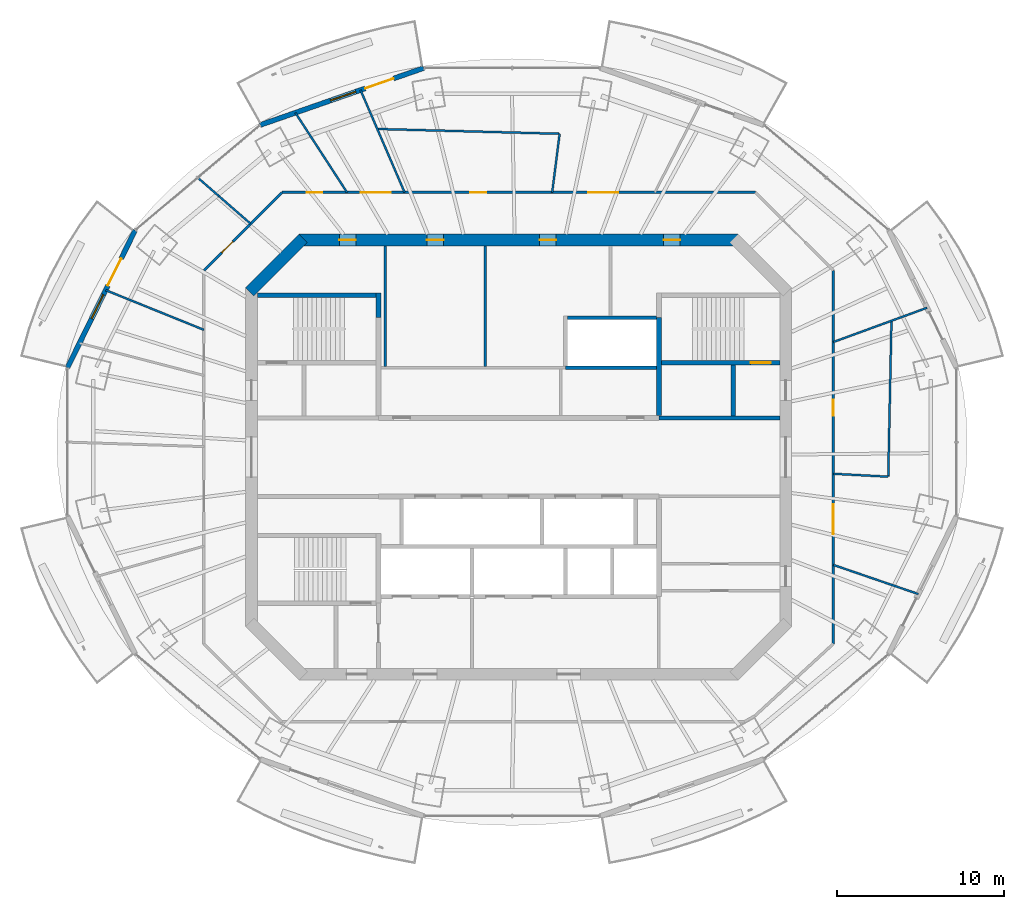
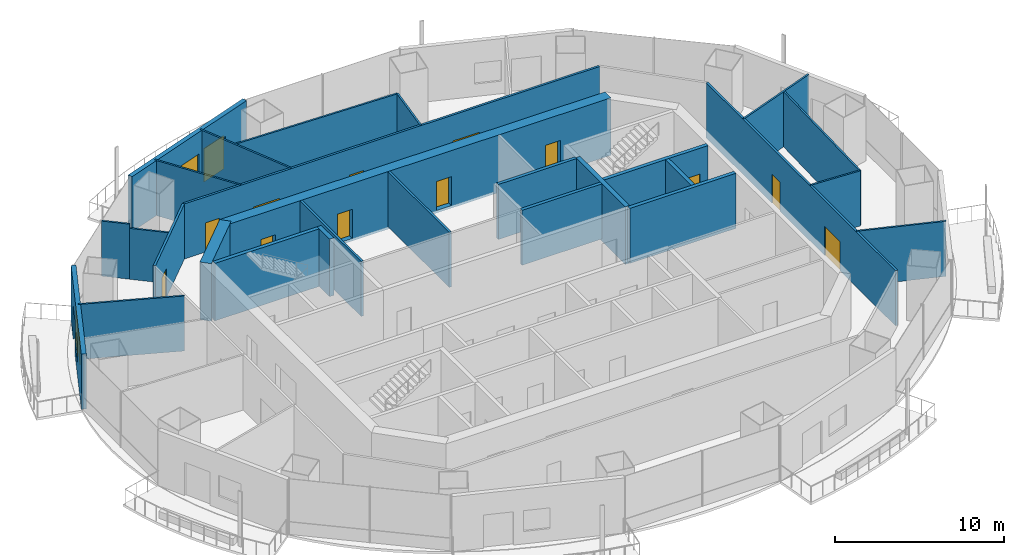
# One storey, part 10 of 16: 28 walls, 14 doors, 2 windows, 16 openings.
"""IFC4 building model written with IfcOpenShell, lengths in metres."""

from ifc_helpers import new_model, si_unit, direction, frame, frame_2d, origin, place, context, subcontext, project, spatial, rectangle, extrude, material, layer, layer_set, type_object, element, fill, save


model = new_model("IFC4")

# Units and contexts
model_context = context("Model", 3, precision=1e-05, world=origin(), true_north=direction((0.0, 1.0)))
body_context = subcontext(model_context, "Body", "Model", "MODEL_VIEW")
ifc_project = project(units=[si_unit("LENGTHUNIT", "METRE"), si_unit("AREAUNIT", "SQUARE_METRE"), si_unit("VOLUMEUNIT", "CUBIC_METRE"), si_unit("PLANEANGLEUNIT", "RADIAN"), si_unit("MASSUNIT", "GRAM", prefix="KILO")], contexts=[model_context])

# Site, building, storey
site_placement = place(None, origin())
site = spatial("IfcSite", under=ifc_project, at=site_placement, CompositionType="ELEMENT")
building_placement = place(site_placement, origin())
building = spatial("IfcBuilding", under=site, at=building_placement, Name="Marenthal Gate Tower", CompositionType="ELEMENT")
storey_placement = place(building_placement, frame((0.0, 0.0, 334.300048828125)))
storey = spatial("IfcBuildingStorey", under=building, at=storey_placement, Name="L75", CompositionType="ELEMENT", Elevation=334.300048828125)

# Wall, openings, doors
ifc_material_1 = material(Name="Concrete 60 MPa", Category="concrete")
ifc_layer_1 = layer(ifc_material_1, 0.699951171875)
ifc_layer_set_1 = layer_set([ifc_layer_1], Name="Core shear wall 700")
wall_type_1 = type_object("IfcWallType", Name="Core shear wall 700", PredefinedType="SHEAR", material=ifc_layer_set_1)
wall_1_placement = place(storey_placement, frame((13.14501953125, 13.0, -0.179931640625), z_axis=(0.0, 0.0, 1.0), x_axis=(-1.0, 0.0, 0.0)))
wall_1 = element("IfcWall", 1, at=wall_1_placement, inside=storey, type_object=wall_type_1, Name="Core wall 04", PredefinedType="SHEAR", context=body_context, shape_type="SweptSolid", body=[
    extrude(rectangle(XDim=26.2900390625, YDim=0.699951171875, at=frame_2d((13.14501953125, 0.0))), origin(), (0.0, 0.0, 1.0), 4.14990234375),
])
opening_1_placement = place(wall_1_placement, frame((22.889892578125, 0.0, 0.179931640625)))
opening_1 = element("IfcOpeningElement", 2, at=opening_1_placement, cuts=wall_1, Name="Opening D005.03", PredefinedType="OPENING", context=body_context, shape_type="SweptSolid", body=[
    extrude(rectangle(XDim=1.0, YDim=2.10009765625, at=frame_2d((0.5, 1.050048828125))), frame((0.0, 0.35986328125, 0.0), z_axis=(0.0, -1.0, 0.0), x_axis=(1.0, 0.0, 0.0)), (0.0, 0.0, 1.0), 0.719970703125),
])
opening_2_placement = place(wall_1_placement, frame((17.64501953125, 0.0, 0.179931640625)))
opening_2 = element("IfcOpeningElement", 3, at=opening_2_placement, cuts=wall_1, Name="Opening D005.04", PredefinedType="OPENING", context=body_context, shape_type="SweptSolid", body=[
    extrude(rectangle(XDim=1.0, YDim=2.10009765625, at=frame_2d((0.5, 1.050048828125))), frame((0.0, 0.35986328125, 0.0), z_axis=(0.0, -1.0, 0.0), x_axis=(1.0, 0.0, 0.0)), (0.0, 0.0, 1.0), 0.719970703125),
])
opening_3_placement = place(wall_1_placement, frame((10.89501953125, 0.0, 0.179931640625)))
opening_3 = element("IfcOpeningElement", 4, at=opening_3_placement, cuts=wall_1, Name="Opening D005.05", PredefinedType="OPENING", context=body_context, shape_type="SweptSolid", body=[
    extrude(rectangle(XDim=1.0, YDim=2.10009765625, at=frame_2d((0.5, 1.050048828125))), frame((0.0, 0.35986328125, 0.0), z_axis=(0.0, -1.0, 0.0), x_axis=(1.0, 0.0, 0.0)), (0.0, 0.0, 1.0), 0.719970703125),
])
opening_4_placement = place(wall_1_placement, frame((3.46728515625, 0.0, 0.179931640625)))
opening_4 = element("IfcOpeningElement", 5, at=opening_4_placement, cuts=wall_1, Name="Opening D005.06", PredefinedType="OPENING", context=body_context, shape_type="SweptSolid", body=[
    extrude(rectangle(XDim=1.0, YDim=2.10009765625, at=frame_2d((0.5, 1.050048828125))), frame((0.0, 0.35986328125, 0.0), z_axis=(0.0, -1.0, 0.0), x_axis=(1.0, 0.0, 0.0)), (0.0, 0.0, 1.0), 0.719970703125),
])
ifc_material_2 = material(Name="Steel fire door", Category="steel")
door_type_1 = type_object("IfcDoorType", Name="Fire door FD 45 1000 x 2100", OperationType="NOTDEFINED", PredefinedType="DOOR", material=ifc_material_2)
door_1_placement = place(opening_1_placement, origin())
door_1 = element("IfcDoor", 6, at=door_1_placement, inside=storey, type_object=door_type_1, Name="Door D005.03", OperationType="SINGLE_SWING_RIGHT", OverallHeight=2.10009765625, OverallWidth=1.0, PredefinedType="DOOR", context=body_context, shape_type="SweptSolid", body=[
    extrude(rectangle(XDim=1.0, YDim=2.10009765625, at=frame_2d((0.5, 1.050048828125))), frame((0.0, 0.02490234375, 0.0), z_axis=(0.0, -1.0, 0.0), x_axis=(1.0, 0.0, 0.0)), (0.0, 0.0, 1.0), 0.050048828125),
])
fill(opening_1, door_1)
door_2_placement = place(opening_2_placement, origin())
door_2 = element("IfcDoor", 7, at=door_2_placement, inside=storey, type_object=door_type_1, Name="Door D005.04", OperationType="SINGLE_SWING_RIGHT", OverallHeight=2.10009765625, OverallWidth=1.0, PredefinedType="DOOR", context=body_context, shape_type="SweptSolid", body=[
    extrude(rectangle(XDim=1.0, YDim=2.10009765625, at=frame_2d((0.5, 1.050048828125))), frame((0.0, 0.02490234375, 0.0), z_axis=(0.0, -1.0, 0.0), x_axis=(1.0, 0.0, 0.0)), (0.0, 0.0, 1.0), 0.050048828125),
])
fill(opening_2, door_2)
door_3_placement = place(opening_3_placement, origin())
door_3 = element("IfcDoor", 8, at=door_3_placement, inside=storey, type_object=door_type_1, Name="Door D005.05", OperationType="SINGLE_SWING_RIGHT", OverallHeight=2.10009765625, OverallWidth=1.0, PredefinedType="DOOR", context=body_context, shape_type="SweptSolid", body=[
    extrude(rectangle(XDim=1.0, YDim=2.10009765625, at=frame_2d((0.5, 1.050048828125))), frame((0.0, 0.02490234375, 0.0), z_axis=(0.0, -1.0, 0.0), x_axis=(1.0, 0.0, 0.0)), (0.0, 0.0, 1.0), 0.050048828125),
])
fill(opening_3, door_3)
door_4_placement = place(opening_4_placement, origin())
door_4 = element("IfcDoor", 9, at=door_4_placement, inside=storey, type_object=door_type_1, Name="Door D005.06", OperationType="SINGLE_SWING_RIGHT", OverallHeight=2.10009765625, OverallWidth=1.0, PredefinedType="DOOR", context=body_context, shape_type="SweptSolid", body=[
    extrude(rectangle(XDim=1.0, YDim=2.10009765625, at=frame_2d((0.5, 1.050048828125))), frame((0.0, 0.02490234375, 0.0), z_axis=(0.0, -1.0, 0.0), x_axis=(1.0, 0.0, 0.0)), (0.0, 0.0, 1.0), 0.050048828125),
])
fill(opening_4, door_4)

# Walls
wall_2_placement = place(storey_placement, frame((-12.8974609375, 13.1025390625, -0.179931640625), z_axis=(0.0, 0.0, 1.0), x_axis=(-0.707106781187, -0.707106781187, 0.0)))
element("IfcWall", 10, at=wall_2_placement, inside=storey, type_object=wall_type_1, Name="Core wall 05", PredefinedType="SHEAR", context=body_context, shape_type="SweptSolid", body=[
    extrude(rectangle(XDim=4.53271484375, YDim=0.699951171875, at=frame_2d((2.266357421875, 0.0))), origin(), (0.0, 0.0, 1.0), 4.14990234375),
])
ifc_material_3 = material(Name="Concrete 50 MPa", Category="concrete")
ifc_layer_2 = layer(ifc_material_3, 0.300048828125)
ifc_layer_set_2 = layer_set([ifc_layer_2], Name="Hoistway shear wall 300")
wall_type_2 = type_object("IfcWallType", Name="Hoistway shear wall 300", PredefinedType="SHEAR", material=ifc_layer_set_2)
wall_3_placement = place(storey_placement, frame((8.39990234375, 2.5, -0.179931640625), z_axis=(0.0, 0.0, 1.0), x_axis=(0.0, 1.0, 0.0)))
element("IfcWall", 11, at=wall_3_placement, inside=storey, type_object=wall_type_2, Name="Hoistway wall 49", PredefinedType="SHEAR", context=body_context, shape_type="SweptSolid", body=[
    extrude(rectangle(XDim=5.85009765625, YDim=0.300048828125, at=frame_2d((2.925048828125, 0.0))), origin(), (0.0, 0.0, 1.0), 4.14990234375),
])
ifc_material_4 = material(Name="Concrete 40 MPa", Category="concrete")
ifc_layer_3 = layer(ifc_material_4, 0.219970703125)
ifc_layer_set_3 = layer_set([ifc_layer_3], Name="Hoistway wall 220")
wall_type_3 = type_object("IfcWallType", Name="Hoistway wall 220", PredefinedType="STANDARD", material=ifc_layer_set_3)
wall_4_placement = place(storey_placement, frame((2.800048828125, 5.35009765625, 0.0), z_axis=(0.0, 0.0, 1.0), x_axis=(1.0, 0.0, 0.0)))
element("IfcWall", 12, at=wall_4_placement, inside=storey, type_object=wall_type_3, Name="Hoistway wall 23", PredefinedType="STANDARD", context=body_context, shape_type="SweptSolid", body=[
    extrude(rectangle(XDim=5.449951171875, YDim=0.219970703125, at=frame_2d((2.72509765625, 0.0))), origin(), (0.0, 0.0, 1.0), 3.969970703125),
])
wall_5_placement = place(storey_placement, frame((2.909912109375, 8.35009765625, 0.0), z_axis=(0.0, 0.0, 1.0), x_axis=(1.0, 0.0, 0.0)))
element("IfcWall", 13, at=wall_5_placement, inside=storey, type_object=wall_type_3, Name="Hoistway wall 26", PredefinedType="STANDARD", context=body_context, shape_type="SweptSolid", body=[
    extrude(rectangle(XDim=5.340087890625, YDim=0.219970703125, at=frame_2d((2.669921875, 0.0))), origin(), (0.0, 0.0, 1.0), 3.969970703125),
])
ifc_material_5 = material(Name="Gypsum board on steel studs", Category="steel")
ifc_layer_4 = layer(ifc_material_5, 0.1201171875)
ifc_layer_set_4 = layer_set([ifc_layer_4], Name="Partition 120")
wall_type_4 = type_object("IfcWallType", Name="Partition 120", PredefinedType="PARTITIONING", material=ifc_layer_set_4)
wall_6_placement = place(storey_placement, frame((-18.85009765625, 7.620361328125, 0.0), z_axis=(0.0, 0.0, 1.0), x_axis=(-0.927102963465, 0.374806743716, 0.0)))
element("IfcWall", 14, at=wall_6_placement, inside=storey, type_object=wall_type_4, Name="Partition wall 56", PredefinedType="PARTITIONING", context=body_context, shape_type="SweptSolid", body=[
    extrude(rectangle(XDim=6.353515625, YDim=0.1201171875, at=frame_2d((3.1767578125, 0.0))), origin(), (0.0, 0.0, 1.0), 3.969970703125),
])
wall_7_placement = place(storey_placement, frame((-16.053466796875, 13.97705078125, 0.0), z_axis=(0.0, 0.0, 1.0), x_axis=(-0.754199093047, 0.656645816287, 0.0)))
element("IfcWall", 15, at=wall_7_placement, inside=storey, type_object=wall_type_4, Name="Partition wall 58", PredefinedType="PARTITIONING", context=body_context, shape_type="SweptSolid", body=[
    extrude(rectangle(XDim=2.522705078125, YDim=0.1201171875, at=frame_2d((1.26123046875, 0.0))), origin(), (0.0, 0.0, 1.0), 3.66796875),
])
wall_8_placement = place(storey_placement, frame((-17.9560546875, 15.633544921875, 0.0), z_axis=(0.0, 0.0, 1.0), x_axis=(-0.754187929284, 0.656658638352, 0.0)))
element("IfcWall", 16, at=wall_8_placement, inside=storey, type_object=wall_type_4, Name="Partition wall 75", PredefinedType="PARTITIONING", context=body_context, shape_type="SweptSolid", body=[
    extrude(rectangle(XDim=1.687255859375, YDim=0.1201171875, at=frame_2d((0.84375, 0.0))), origin(), (0.0, 0.0, 1.0), 3.969970703125),
])
wall_9_placement = place(storey_placement, frame((-10.27783203125, 15.85009765625, 0.0), z_axis=(0.0, 0.0, 1.0), x_axis=(-0.544086684893, 0.839029009822, 0.0)))
element("IfcWall", 17, at=wall_9_placement, inside=storey, type_object=wall_type_4, Name="Partition wall 61", PredefinedType="PARTITIONING", context=body_context, shape_type="SweptSolid", body=[
    extrude(rectangle(XDim=5.693359375, YDim=0.1201171875, at=frame_2d((2.8466796875, 0.0))), origin(), (0.0, 0.0, 1.0), 3.969970703125),
])
wall_10_placement = place(storey_placement, frame((-6.82958984375, 15.85009765625, 0.0), z_axis=(0.0, 0.0, 1.0), x_axis=(-0.39569122033, 0.918383611654, 0.0)))
element("IfcWall", 18, at=wall_10_placement, inside=storey, type_object=wall_type_4, Name="Partition wall 62", PredefinedType="PARTITIONING", context=body_context, shape_type="SweptSolid", body=[
    extrude(rectangle(XDim=6.68212890625, YDim=0.1201171875, at=frame_2d((3.341064453125, 0.0))), origin(), (0.0, 0.0, 1.0), 3.969970703125),
])
wall_11_placement = place(storey_placement, frame((2.45263671875, 19.367431640625, 0.0), z_axis=(0.0, 0.0, 1.0), x_axis=(-0.999654058519, 0.026301393246, 0.0)))
element("IfcWall", 19, at=wall_11_placement, inside=storey, type_object=wall_type_4, Name="Partition wall 63", PredefinedType="PARTITIONING", context=body_context, shape_type="SweptSolid", body=[
    extrude(rectangle(XDim=10.92529296875, YDim=0.1201171875, at=frame_2d((5.462646484375, 0.0))), origin(), (0.0, 0.0, 1.0), 3.969970703125),
])
wall_12_placement = place(storey_placement, frame((2.45263671875, 19.367431640625, 0.0), z_axis=(0.0, 0.0, 1.0), x_axis=(-0.125670265883, -0.992072066068, 0.0)))
element("IfcWall", 20, at=wall_12_placement, inside=storey, type_object=wall_type_4, Name="Partition wall 64", PredefinedType="PARTITIONING", context=body_context, shape_type="SweptSolid", body=[
    extrude(rectangle(XDim=3.54541015625, YDim=0.1201171875, at=frame_2d((1.772705078125, 0.0))), origin(), (0.0, 0.0, 1.0), 3.969970703125),
])
wall_13_placement = place(storey_placement, frame((18.85009765625, -6.457763671875, 0.0), z_axis=(0.0, 0.0, 1.0), x_axis=(0.946023473626, -0.32409811377, 0.0)))
element("IfcWall", 21, at=wall_13_placement, inside=storey, type_object=wall_type_4, Name="Partition wall 70", PredefinedType="PARTITIONING", context=body_context, shape_type="SweptSolid", body=[
    extrude(rectangle(XDim=5.380859375, YDim=0.1201171875, at=frame_2d((2.6904296875, 0.0))), origin(), (0.0, 0.0, 1.0), 3.969970703125),
])
wall_14_placement = place(storey_placement, frame((18.85009765625, 6.893310546875, 0.0), z_axis=(0.0, 0.0, 1.0), x_axis=(0.939166586635, 0.34346196667, 0.0)))
element("IfcWall", 22, at=wall_14_placement, inside=storey, type_object=wall_type_4, Name="Partition wall 71", PredefinedType="PARTITIONING", context=body_context, shape_type="SweptSolid", body=[
    extrude(rectangle(XDim=5.973876953125, YDim=0.1201171875, at=frame_2d((2.98681640625, 0.0))), origin(), (0.0, 0.0, 1.0), 3.969970703125),
])
wall_15_placement = place(storey_placement, frame((22.13671875, -1.1728515625, 0.0), z_axis=(0.0, 0.0, 1.0), x_axis=(0.020545219347, 0.999788924705, 0.0)))
element("IfcWall", 23, at=wall_15_placement, inside=storey, type_object=wall_type_4, Name="Partition wall 73", PredefinedType="PARTITIONING", context=body_context, shape_type="SweptSolid", body=[
    extrude(rectangle(XDim=9.340087890625, YDim=0.1201171875, at=frame_2d((4.669921875, 0.0))), origin(), (0.0, 0.0, 1.0), 3.969970703125),
])
wall_16_placement = place(storey_placement, frame((22.13671875, -1.1728515625, 0.0), z_axis=(0.0, 0.0, 1.0), x_axis=(-0.99860035673, 0.052889767817, 0.0)))
element("IfcWall", 24, at=wall_16_placement, inside=storey, type_object=wall_type_4, Name="Partition wall 74", PredefinedType="PARTITIONING", context=body_context, shape_type="SweptSolid", body=[
    extrude(rectangle(XDim=3.291259765625, YDim=0.1201171875, at=frame_2d((1.6455078125, 0.0))), origin(), (0.0, 0.0, 1.0), 3.969970703125),
])
ifc_material_6 = material(Name="Gypsum board on steel studs", Category="steel")
ifc_layer_5 = layer(ifc_material_6, 0.14990234375)
ifc_layer_set_5 = layer_set([ifc_layer_5], Name="Partition 150")
wall_type_5 = type_object("IfcWallType", Name="Partition 150", PredefinedType="PARTITIONING", material=ifc_layer_set_5)
for number, where, z_axis, x_axis, name in (
    (25, (-8.0, 5.425048828125, 0.0), (0.0, 0.0, 1.0), (0.0, 1.0, 0.0), "Partition wall 35"),
    (26, (-2.0, 5.425048828125, 0.0), (0.0, 0.0, 1.0), (0.0, 1.0, 0.0), "Partition wall 39"),
):
    element("IfcWall", number, at=place(storey_placement, frame(where, z_axis=z_axis, x_axis=x_axis)), inside=storey, type_object=wall_type_5, Name=name, PredefinedType="PARTITIONING", context=body_context, shape_type="SweptSolid", body=[
        extrude(rectangle(XDim=7.224853515625, YDim=0.14990234375, at=frame_2d((3.6123046875, 0.0))), origin(), (0.0, 0.0, 1.0), 3.969970703125),
    ])

# Wall, opening, door
wall_17_placement = place(storey_placement, frame((-18.85009765625, 11.180419921875, 0.0), z_axis=(0.0, 0.0, 1.0), x_axis=(0.707106781187, 0.707106781187, 0.0)))
wall_17 = element("IfcWall", 27, at=wall_17_placement, inside=storey, type_object=wall_type_5, Name="Partition wall 57", PredefinedType="PARTITIONING", context=body_context, shape_type="SweptSolid", body=[
    extrude(rectangle(XDim=6.60400390625, YDim=0.14990234375, at=frame_2d((3.302001953125, 0.0))), origin(), (0.0, 0.0, 1.0), 3.969970703125),
])
opening_5_placement = place(wall_17_placement, frame((1.5029296875, 0.0, 0.0)))
opening_5 = element("IfcOpeningElement", 28, at=opening_5_placement, cuts=wall_17, Name="Opening D016.03", PredefinedType="OPENING", context=body_context, shape_type="SweptSolid", body=[
    extrude(rectangle(XDim=0.949951171875, YDim=2.10009765625, at=frame_2d((0.47509765625, 1.050048828125))), frame((0.0, 0.0849609375, 0.0), z_axis=(0.0, -1.0, 0.0), x_axis=(1.0, 0.0, 0.0)), (0.0, 0.0, 1.0), 0.169921875),
])
ifc_material_7 = material(Name="Timber door", Category="wood")
door_type_2 = type_object("IfcDoorType", Name="Door 950 x 2100", OperationType="NOTDEFINED", PredefinedType="DOOR", material=ifc_material_7)
door_5_placement = place(opening_5_placement, origin())
door_5 = element("IfcDoor", 29, at=door_5_placement, inside=storey, type_object=door_type_2, Name="Door D016.03", OperationType="SINGLE_SWING_RIGHT", OverallHeight=2.10009765625, OverallWidth=0.949951171875, PredefinedType="DOOR", context=body_context, shape_type="SweptSolid", body=[
    extrude(rectangle(XDim=0.949951171875, YDim=2.10009765625, at=frame_2d((0.47509765625, 1.050048828125))), frame((0.0, 0.02490234375, 0.0), z_axis=(0.0, -1.0, 0.0), x_axis=(1.0, 0.0, 0.0)), (0.0, 0.0, 1.0), 0.050048828125),
])
fill(opening_5, door_5)

# Wall, openings, doors
wall_18_placement = place(storey_placement, frame((-14.180419921875, 15.85009765625, 0.0), z_axis=(0.0, 0.0, 1.0), x_axis=(1.0, 0.0, 0.0)))
wall_18 = element("IfcWall", 30, at=wall_18_placement, inside=storey, type_object=wall_type_5, Name="Partition wall 60", PredefinedType="PARTITIONING", context=body_context, shape_type="SweptSolid", body=[
    extrude(rectangle(XDim=28.36083984375, YDim=0.14990234375, at=frame_2d((14.180419921875, 0.0))), origin(), (0.0, 0.0, 1.0), 3.969970703125),
])
opening_6_placement = place(wall_18_placement, frame((11.2939453125, 0.0, 0.0)))
opening_6 = element("IfcOpeningElement", 31, at=opening_6_placement, cuts=wall_18, Name="Opening D016.01", PredefinedType="OPENING", context=body_context, shape_type="SweptSolid", body=[
    extrude(rectangle(XDim=0.949951171875, YDim=2.10009765625, at=frame_2d((0.47509765625, 1.050048828125))), frame((0.0, 0.0849609375, 0.0), z_axis=(0.0, -1.0, 0.0), x_axis=(1.0, 0.0, 0.0)), (0.0, 0.0, 1.0), 0.169921875),
])
opening_7_placement = place(wall_18_placement, frame((18.35888671875, 0.0, 0.0)))
opening_7 = element("IfcOpeningElement", 32, at=opening_7_placement, cuts=wall_18, Name="Opening D014.02", PredefinedType="OPENING", context=body_context, shape_type="SweptSolid", body=[
    extrude(rectangle(XDim=1.800048828125, YDim=2.10009765625, at=frame_2d((0.89990234375, 1.050048828125))), frame((0.0, 0.0849609375, 0.0), z_axis=(0.0, -1.0, 0.0), x_axis=(1.0, 0.0, 0.0)), (0.0, 0.0, 1.0), 0.169921875),
])
opening_8_placement = place(wall_18_placement, frame((4.72705078125, 0.0, 0.0)))
opening_8 = element("IfcOpeningElement", 33, at=opening_8_placement, cuts=wall_18, Name="Opening D014.03", PredefinedType="OPENING", context=body_context, shape_type="SweptSolid", body=[
    extrude(rectangle(XDim=1.800048828125, YDim=2.10009765625, at=frame_2d((0.89990234375, 1.050048828125))), frame((0.0, 0.0849609375, 0.0), z_axis=(0.0, -1.0, 0.0), x_axis=(1.0, 0.0, 0.0)), (0.0, 0.0, 1.0), 0.169921875),
])
opening_9_placement = place(wall_18_placement, frame((1.47607421875, 0.0, 0.0)))
opening_9 = element("IfcOpeningElement", 34, at=opening_9_placement, cuts=wall_18, Name="Opening D016.02", PredefinedType="OPENING", context=body_context, shape_type="SweptSolid", body=[
    extrude(rectangle(XDim=0.949951171875, YDim=2.10009765625, at=frame_2d((0.47509765625, 1.050048828125))), frame((0.0, 0.0849609375, 0.0), z_axis=(0.0, -1.0, 0.0), x_axis=(1.0, 0.0, 0.0)), (0.0, 0.0, 1.0), 0.169921875),
])
door_6_placement = place(opening_6_placement, origin())
door_6 = element("IfcDoor", 35, at=door_6_placement, inside=storey, type_object=door_type_2, Name="Door D016.01", OperationType="SINGLE_SWING_RIGHT", OverallHeight=2.10009765625, OverallWidth=0.949951171875, PredefinedType="DOOR", context=body_context, shape_type="SweptSolid", body=[
    extrude(rectangle(XDim=0.949951171875, YDim=2.10009765625, at=frame_2d((0.47509765625, 1.050048828125))), frame((0.0, 0.02490234375, 0.0), z_axis=(0.0, -1.0, 0.0), x_axis=(1.0, 0.0, 0.0)), (0.0, 0.0, 1.0), 0.050048828125),
])
fill(opening_6, door_6)
door_7_placement = place(opening_9_placement, origin())
door_7 = element("IfcDoor", 36, at=door_7_placement, inside=storey, type_object=door_type_2, Name="Door D016.02", OperationType="SINGLE_SWING_RIGHT", OverallHeight=2.10009765625, OverallWidth=0.949951171875, PredefinedType="DOOR", context=body_context, shape_type="SweptSolid", body=[
    extrude(rectangle(XDim=0.949951171875, YDim=2.10009765625, at=frame_2d((0.47509765625, 1.050048828125))), frame((0.0, 0.02490234375, 0.0), z_axis=(0.0, -1.0, 0.0), x_axis=(1.0, 0.0, 0.0)), (0.0, 0.0, 1.0), 0.050048828125),
])
fill(opening_9, door_7)
ifc_material_8 = material(Name="Timber door", Category="wood")
door_type_3 = type_object("IfcDoorType", Name="Double door 1800 x 2100", OperationType="DOUBLE_DOOR_SINGLE_SWING", PredefinedType="DOOR", material=ifc_material_8)
door_8_placement = place(opening_7_placement, origin())
door_8 = element("IfcDoor", 37, at=door_8_placement, inside=storey, type_object=door_type_3, Name="Door D014.02", OperationType="DOUBLE_DOOR_SINGLE_SWING", OverallHeight=2.10009765625, OverallWidth=1.800048828125, PredefinedType="DOOR", context=body_context, shape_type="SweptSolid", body=[
    extrude(rectangle(XDim=1.800048828125, YDim=2.10009765625, at=frame_2d((0.89990234375, 1.050048828125))), frame((0.0, 0.02490234375, 0.0), z_axis=(0.0, -1.0, 0.0), x_axis=(1.0, 0.0, 0.0)), (0.0, 0.0, 1.0), 0.050048828125),
])
fill(opening_7, door_8)
door_9_placement = place(opening_8_placement, origin())
door_9 = element("IfcDoor", 38, at=door_9_placement, inside=storey, type_object=door_type_3, Name="Door D014.03", OperationType="DOUBLE_DOOR_SINGLE_SWING", OverallHeight=2.10009765625, OverallWidth=1.800048828125, PredefinedType="DOOR", context=body_context, shape_type="SweptSolid", body=[
    extrude(rectangle(XDim=1.800048828125, YDim=2.10009765625, at=frame_2d((0.89990234375, 1.050048828125))), frame((0.0, 0.02490234375, 0.0), z_axis=(0.0, -1.0, 0.0), x_axis=(1.0, 0.0, 0.0)), (0.0, 0.0, 1.0), 0.050048828125),
])
fill(opening_8, door_9)

wall_19_placement = place(storey_placement, frame((18.85009765625, 11.180419921875, 0.0), z_axis=(0.0, 0.0, 1.0), x_axis=(0.0, -1.0, 0.0)))
wall_19 = element("IfcWall", 39, at=wall_19_placement, inside=storey, type_object=wall_type_5, Name="Partition wall 72", PredefinedType="PARTITIONING", context=body_context, shape_type="SweptSolid", body=[
    extrude(rectangle(XDim=22.36083984375, YDim=0.14990234375, at=frame_2d((11.180419921875, 0.0))), origin(), (0.0, 0.0, 1.0), 3.969970703125),
])
opening_10_placement = place(wall_19_placement, frame((7.759033203125, 0.0, 0.0)))
opening_10 = element("IfcOpeningElement", 40, at=opening_10_placement, cuts=wall_19, Name="Opening D016.07", PredefinedType="OPENING", context=body_context, shape_type="SweptSolid", body=[
    extrude(rectangle(XDim=0.949951171875, YDim=2.10009765625, at=frame_2d((0.47509765625, 1.050048828125))), frame((0.0, 0.0849609375, 0.0), z_axis=(0.0, -1.0, 0.0), x_axis=(1.0, 0.0, 0.0)), (0.0, 0.0, 1.0), 0.169921875),
])
opening_11_placement = place(wall_19_placement, frame((14.009033203125, 0.0, 0.0)))
opening_11 = element("IfcOpeningElement", 41, at=opening_11_placement, cuts=wall_19, Name="Opening D014.05", PredefinedType="OPENING", context=body_context, shape_type="SweptSolid", body=[
    extrude(rectangle(XDim=1.800048828125, YDim=2.10009765625, at=frame_2d((0.89990234375, 1.050048828125))), frame((0.0, 0.0849609375, 0.0), z_axis=(0.0, -1.0, 0.0), x_axis=(1.0, 0.0, 0.0)), (0.0, 0.0, 1.0), 0.169921875),
])
door_10_placement = place(opening_10_placement, origin())
door_10 = element("IfcDoor", 42, at=door_10_placement, inside=storey, type_object=door_type_2, Name="Door D016.07", OperationType="SINGLE_SWING_RIGHT", OverallHeight=2.10009765625, OverallWidth=0.949951171875, PredefinedType="DOOR", context=body_context, shape_type="SweptSolid", body=[
    extrude(rectangle(XDim=0.949951171875, YDim=2.10009765625, at=frame_2d((0.47509765625, 1.050048828125))), frame((0.0, 0.02490234375, 0.0), z_axis=(0.0, -1.0, 0.0), x_axis=(1.0, 0.0, 0.0)), (0.0, 0.0, 1.0), 0.050048828125),
])
fill(opening_10, door_10)
door_11_placement = place(opening_11_placement, origin())
door_11 = element("IfcDoor", 43, at=door_11_placement, inside=storey, type_object=door_type_3, Name="Door D014.05", OperationType="DOUBLE_DOOR_SINGLE_SWING", OverallHeight=2.10009765625, OverallWidth=1.800048828125, PredefinedType="DOOR", context=body_context, shape_type="SweptSolid", body=[
    extrude(rectangle(XDim=1.800048828125, YDim=2.10009765625, at=frame_2d((0.89990234375, 1.050048828125))), frame((0.0, 0.02490234375, 0.0), z_axis=(0.0, -1.0, 0.0), x_axis=(1.0, 0.0, 0.0)), (0.0, 0.0, 1.0), 0.050048828125),
])
fill(opening_11, door_11)

# Walls
ifc_material_9 = material(Name="Concrete 40 MPa", Category="concrete")
ifc_layer_6 = layer(ifc_material_9, 0.25)
ifc_layer_set_6 = layer_set([ifc_layer_6], Name="Stair enclosure wall 250")
wall_type_6 = type_object("IfcWallType", Name="Stair enclosure wall 250", PredefinedType="STANDARD", material=ifc_layer_set_6)
wall_20_placement = place(storey_placement, frame((8.39990234375, 2.35009765625, 0.0), z_axis=(0.0, 0.0, 1.0), x_axis=(1.0, 0.0, 0.0)))
element("IfcWall", 44, at=wall_20_placement, inside=storey, type_object=wall_type_6, Name="Stair wall 21", PredefinedType="STANDARD", context=body_context, shape_type="SweptSolid", body=[
    extrude(rectangle(XDim=7.25, YDim=0.25, at=frame_2d((3.625, 0.0))), origin(), (0.0, 0.0, 1.0), 3.969970703125),
])
wall_21_placement = place(storey_placement, frame((12.85009765625, 2.47509765625, 0.0), z_axis=(0.0, 0.0, 1.0), x_axis=(0.0, 1.0, 0.0)))
element("IfcWall", 45, at=wall_21_placement, inside=storey, type_object=wall_type_6, Name="Stair wall 51", PredefinedType="STANDARD", context=body_context, shape_type="SweptSolid", body=[
    extrude(rectangle(XDim=3.0498046875, YDim=0.25, at=frame_2d((1.52490234375, 0.0))), origin(), (0.0, 0.0, 1.0), 3.969970703125),
])

# Wall, opening, door
ifc_material_10 = material(Name="Concrete 50 MPa", Category="concrete")
ifc_layer_7 = layer(ifc_material_10, 0.25)
ifc_layer_set_7 = layer_set([ifc_layer_7], Name="Stair shear wall 250")
wall_type_7 = type_object("IfcWallType", Name="Stair shear wall 250", PredefinedType="SHEAR", material=ifc_layer_set_7)
wall_22_placement = place(storey_placement, frame((8.550048828125, 5.64990234375, -0.179931640625), z_axis=(0.0, 0.0, 1.0), x_axis=(1.0, 0.0, 0.0)))
wall_22 = element("IfcWall", 46, at=wall_22_placement, inside=storey, type_object=wall_type_7, Name="Stair wall 25", PredefinedType="SHEAR", context=body_context, shape_type="SweptSolid", body=[
    extrude(rectangle(XDim=7.099853515625, YDim=0.25, at=frame_2d((3.5498046875, 0.0))), origin(), (0.0, 0.0, 1.0), 4.14990234375),
])
opening_12_placement = place(wall_22_placement, frame((5.35009765625, 0.0, 0.179931640625)))
opening_12 = element("IfcOpeningElement", 47, at=opening_12_placement, cuts=wall_22, Name="Opening D001.02", PredefinedType="OPENING", context=body_context, shape_type="SweptSolid", body=[
    extrude(rectangle(XDim=1.199951171875, YDim=2.10009765625, at=frame_2d((0.60009765625, 1.050048828125))), frame((0.0, 0.135009765625, 0.0), z_axis=(0.0, -1.0, 0.0), x_axis=(1.0, 0.0, 0.0)), (0.0, 0.0, 1.0), 0.27001953125),
])
ifc_material_11 = material(Name="Steel fire door", Category="steel")
door_type_4 = type_object("IfcDoorType", Name="Fire door FD 90 1200 x 2100", OperationType="NOTDEFINED", PredefinedType="DOOR", material=ifc_material_11)
door_12_placement = place(opening_12_placement, origin())
door_12 = element("IfcDoor", 48, at=door_12_placement, inside=storey, type_object=door_type_4, Name="Door D001.02", OperationType="SINGLE_SWING_RIGHT", OverallHeight=2.10009765625, OverallWidth=1.199951171875, PredefinedType="DOOR", context=body_context, shape_type="SweptSolid", body=[
    extrude(rectangle(XDim=1.199951171875, YDim=2.10009765625, at=frame_2d((0.60009765625, 1.050048828125))), frame((0.0, 0.02490234375, 0.0), z_axis=(0.0, -1.0, 0.0), x_axis=(1.0, 0.0, 0.0)), (0.0, 0.0, 1.0), 0.050048828125),
])
fill(opening_12, door_12)

# Walls
wall_23_placement = place(storey_placement, frame((-15.64990234375, 9.699951171875, -0.179931640625), z_axis=(0.0, 0.0, 1.0), x_axis=(1.0, 0.0, 0.0)))
element("IfcWall", 49, at=wall_23_placement, inside=storey, type_object=wall_type_7, Name="Stair wall 27", PredefinedType="SHEAR", context=body_context, shape_type="SweptSolid", body=[
    extrude(rectangle(XDim=7.099853515625, YDim=0.25, at=frame_2d((3.5498046875, 0.0))), origin(), (0.0, 0.0, 1.0), 4.14990234375),
])
ifc_material_12 = material(Name="Concrete 50 MPa", Category="concrete")
ifc_layer_8 = layer(ifc_material_12, 0.300048828125)
ifc_layer_set_8 = layer_set([ifc_layer_8], Name="Stair shear wall 300")
wall_type_8 = type_object("IfcWallType", Name="Stair shear wall 300", PredefinedType="SHEAR", material=ifc_layer_set_8)
wall_24_placement = place(storey_placement, frame((-8.39990234375, 8.35009765625, -0.179931640625), z_axis=(0.0, 0.0, 1.0), x_axis=(0.0, 1.0, 0.0)))
element("IfcWall", 50, at=wall_24_placement, inside=storey, type_object=wall_type_8, Name="Stair wall 34", PredefinedType="SHEAR", context=body_context, shape_type="SweptSolid", body=[
    extrude(rectangle(XDim=1.474853515625, YDim=0.300048828125, at=frame_2d((0.7373046875, 0.0))), origin(), (0.0, 0.0, 1.0), 4.14990234375),
])

# Wall, openings, door, window
ifc_material_13 = material(Name="Terracotta cladding on insulated concrete-block backing", Category="masonry")
ifc_layer_9 = layer(ifc_material_13, 0.300048828125)
ifc_layer_set_9 = layer_set([ifc_layer_9], Name="Terracotta facade wall 300")
wall_type_9 = type_object("IfcWallType", Name="Terracotta facade wall 300", PredefinedType="SOLIDWALL", material=ifc_layer_set_9)
wall_25_placement = place(storey_placement, frame((-5.696533203125, 23.302978515625, 0.0), z_axis=(0.0, 0.0, 1.0), x_axis=(-0.944298954957, -0.32908886895, 0.0)))
wall_25 = element("IfcWall", 51, at=wall_25_placement, inside=storey, type_object=wall_type_9, Name="Terracotta facade wall L75 bay 5", PredefinedType="SOLIDWALL", context=body_context, shape_type="SweptSolid", body=[
    extrude(rectangle(XDim=10.364013671875, YDim=0.300048828125, at=frame_2d((5.18212890625, 0.0))), origin(), (0.0, 0.0, 1.0), 3.969970703125),
])
opening_13_placement = place(wall_25_placement, frame((1.89990234375, 0.0, 0.0)))
opening_13 = element("IfcOpeningElement", 52, at=opening_13_placement, cuts=wall_25, Name="Opening BD-L75-05", PredefinedType="OPENING", context=body_context, shape_type="SweptSolid", body=[
    extrude(rectangle(XDim=1.800048828125, YDim=2.39990234375, at=frame_2d((0.89990234375, 1.199951171875))), frame((0.0, 0.16015625, 0.0), z_axis=(0.0, -1.0, 0.0), x_axis=(1.0, 0.0, 0.0)), (0.0, 0.0, 1.0), 0.320068359375),
])
opening_14_placement = place(wall_25_placement, frame((4.300048828125, 0.0, 0.89990234375)))
opening_14 = element("IfcOpeningElement", 53, at=opening_14_placement, cuts=wall_25, Name="Opening WN3-L75-05", PredefinedType="OPENING", context=body_context, shape_type="SweptSolid", body=[
    extrude(rectangle(XDim=1.60009765625, YDim=1.5, at=frame_2d((0.800048828125, 0.75))), frame((0.0, 0.16015625, 0.0), z_axis=(0.0, -1.0, 0.0), x_axis=(1.0, 0.0, 0.0)), (0.0, 0.0, 1.0), 0.320068359375),
])
ifc_material_14 = material(Name="Aluminium and glass", Category="aluminium")
door_type_5 = type_object("IfcDoorType", Name="Balcony door 1800x2400", OperationType="DOUBLE_DOOR_SINGLE_SWING", PredefinedType="DOOR", material=ifc_material_14)
door_13_placement = place(opening_13_placement, origin())
door_13 = element("IfcDoor", 54, at=door_13_placement, inside=storey, type_object=door_type_5, Name="Balcony door L75 bay 5", OperationType="SINGLE_SWING_LEFT", OverallHeight=2.39990234375, OverallWidth=1.800048828125, PredefinedType="DOOR", context=body_context, shape_type="SweptSolid", body=[
    extrude(rectangle(XDim=1.800048828125, YDim=2.39990234375, at=frame_2d((0.89990234375, 1.199951171875))), frame((0.0, 0.02490234375, 0.0), z_axis=(0.0, -1.0, 0.0), x_axis=(1.0, 0.0, 0.0)), (0.0, 0.0, 1.0), 0.050048828125),
])
fill(opening_13, door_13)
ifc_material_15 = material(Name="Aluminium and glass", Category="aluminium")
window_type = type_object("IfcWindowType", Name="Window 1600x1500", PartitioningType="DOUBLE_PANEL_VERTICAL", PredefinedType="WINDOW", material=ifc_material_15)
window_1_placement = place(opening_14_placement, origin())
window_1 = element("IfcWindow", 55, at=window_1_placement, inside=storey, type_object=window_type, Name="Window L75 bay 5", OverallHeight=1.5, OverallWidth=1.60009765625, PartitioningType="SINGLE_PANEL", PredefinedType="WINDOW", context=body_context, shape_type="SweptSolid", body=[
    extrude(rectangle(XDim=1.60009765625, YDim=1.5, at=frame_2d((0.800048828125, 0.75))), frame((0.0, 0.030029296875, 0.0), z_axis=(0.0, -1.0, 0.0), x_axis=(1.0, 0.0, 0.0)), (0.0, 0.0, 1.0), 0.06005859375),
])
fill(opening_14, window_1)

wall_26_placement = place(storey_placement, frame((-22.9736328125, 13.59033203125, 0.0), z_axis=(0.0, 0.0, 1.0), x_axis=(-0.441682707494, -0.89717132472, 0.0)))
wall_26 = element("IfcWall", 56, at=wall_26_placement, inside=storey, type_object=wall_type_9, Name="Terracotta facade wall L75 bay 7", PredefinedType="SOLIDWALL", context=body_context, shape_type="SweptSolid", body=[
    extrude(rectangle(XDim=9.177978515625, YDim=0.300048828125, at=frame_2d((4.5888671875, 0.0))), origin(), (0.0, 0.0, 1.0), 3.969970703125),
])
opening_15_placement = place(wall_26_placement, frame((1.89990234375, 0.0, 0.0)))
opening_15 = element("IfcOpeningElement", 57, at=opening_15_placement, cuts=wall_26, Name="Opening BD-L75-07", PredefinedType="OPENING", context=body_context, shape_type="SweptSolid", body=[
    extrude(rectangle(XDim=1.800048828125, YDim=2.39990234375, at=frame_2d((0.89990234375, 1.199951171875))), frame((0.0, 0.16015625, 0.0), z_axis=(0.0, -1.0, 0.0), x_axis=(1.0, 0.0, 0.0)), (0.0, 0.0, 1.0), 0.320068359375),
])
opening_16_placement = place(wall_26_placement, frame((4.300048828125, 0.0, 0.89990234375)))
opening_16 = element("IfcOpeningElement", 58, at=opening_16_placement, cuts=wall_26, Name="Opening WN3-L75-07", PredefinedType="OPENING", context=body_context, shape_type="SweptSolid", body=[
    extrude(rectangle(XDim=1.60009765625, YDim=1.5, at=frame_2d((0.800048828125, 0.75))), frame((0.0, 0.16015625, 0.0), z_axis=(0.0, -1.0, 0.0), x_axis=(1.0, 0.0, 0.0)), (0.0, 0.0, 1.0), 0.320068359375),
])
door_14_placement = place(opening_15_placement, origin())
door_14 = element("IfcDoor", 59, at=door_14_placement, inside=storey, type_object=door_type_5, Name="Balcony door L75 bay 7", OperationType="SINGLE_SWING_LEFT", OverallHeight=2.39990234375, OverallWidth=1.800048828125, PredefinedType="DOOR", context=body_context, shape_type="SweptSolid", body=[
    extrude(rectangle(XDim=1.800048828125, YDim=2.39990234375, at=frame_2d((0.89990234375, 1.199951171875))), frame((0.0, 0.02490234375, 0.0), z_axis=(0.0, -1.0, 0.0), x_axis=(1.0, 0.0, 0.0)), (0.0, 0.0, 1.0), 0.050048828125),
])
fill(opening_15, door_14)
window_2_placement = place(opening_16_placement, origin())
window_2 = element("IfcWindow", 60, at=window_2_placement, inside=storey, type_object=window_type, Name="Window L75 bay 7", OverallHeight=1.5, OverallWidth=1.60009765625, PartitioningType="SINGLE_PANEL", PredefinedType="WINDOW", context=body_context, shape_type="SweptSolid", body=[
    extrude(rectangle(XDim=1.60009765625, YDim=1.5, at=frame_2d((0.800048828125, 0.75))), frame((0.0, 0.030029296875, 0.0), z_axis=(0.0, -1.0, 0.0), x_axis=(1.0, 0.0, 0.0)), (0.0, 0.0, 1.0), 0.06005859375),
])
fill(opening_16, window_2)

save(model, "model.ifc")
